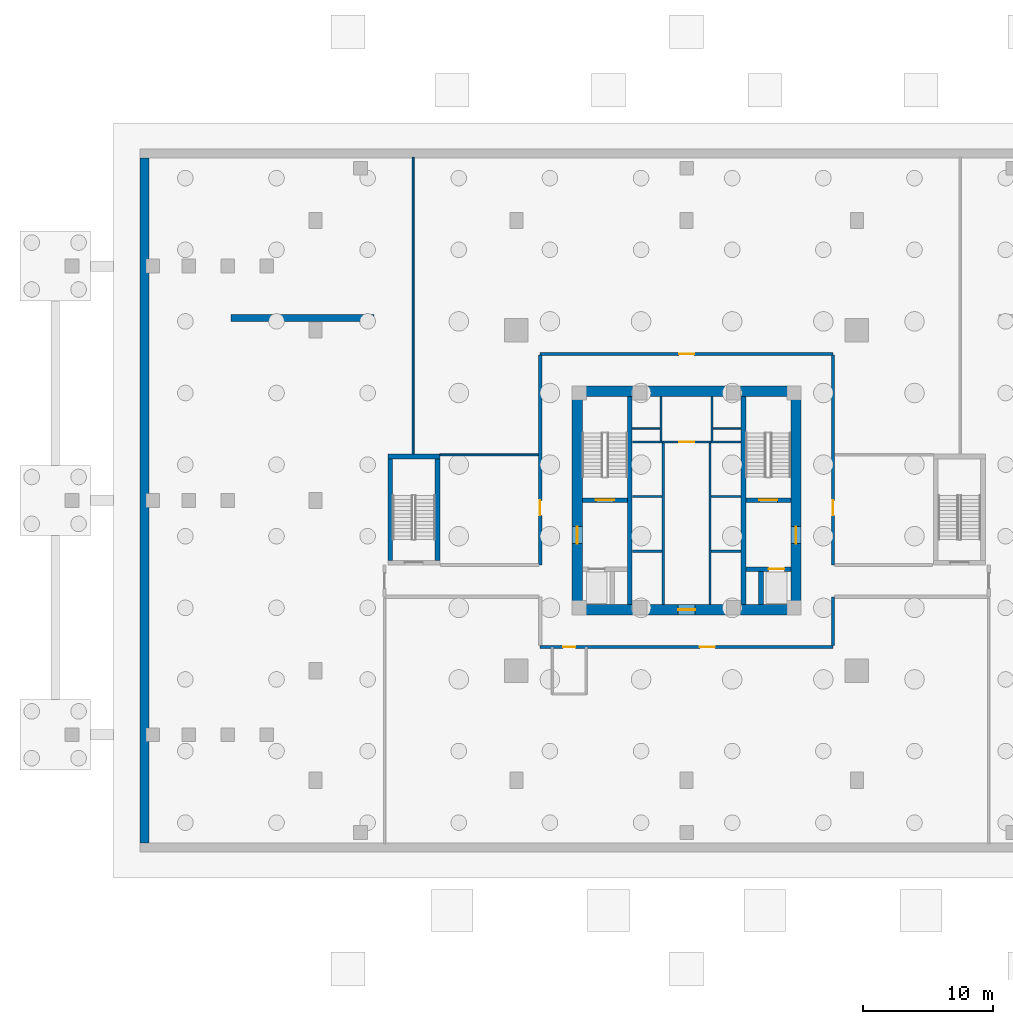
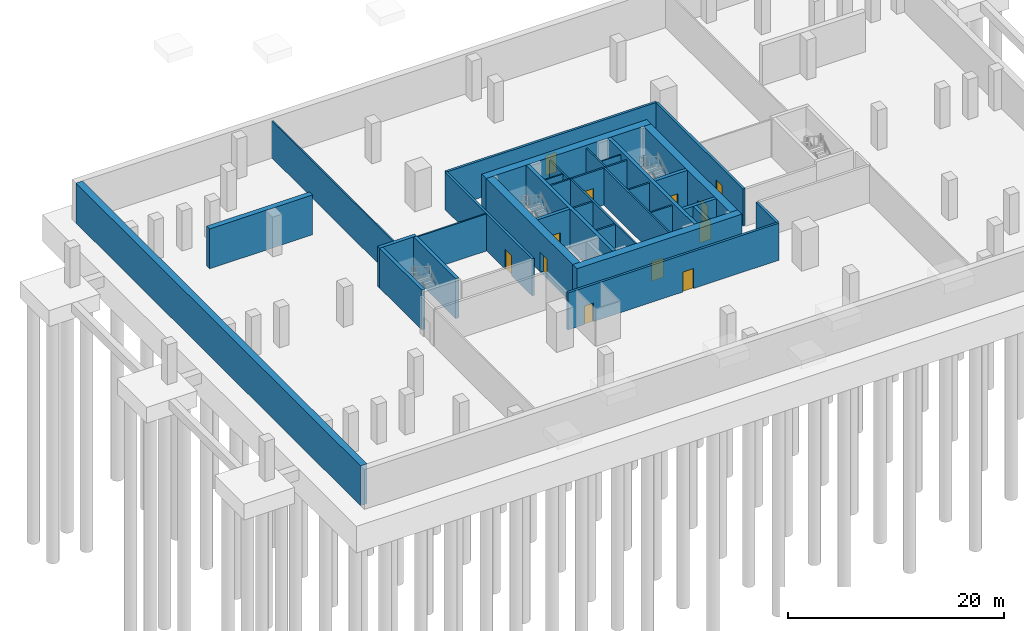
# One storey, part 4 of 8: 35 walls, 12 doors, 12 openings.
"""IFC4 building model written with IfcOpenShell, lengths in metres."""

from ifc_helpers import new_model, si_unit, direction, frame, frame_2d, origin, place, context, subcontext, project, spatial, rectangle, extrude, source, transform, mapped, material, layer, layer_set, type_object, element, fill, save


model = new_model("IFC4")

# Units and contexts
model_context = context("Model", 3, precision=1e-05, world=origin(), true_north=direction((0.0, 1.0)))
body_context = subcontext(model_context, "Body", "Model", "MODEL_VIEW")
ifc_project = project(units=[si_unit("LENGTHUNIT", "METRE"), si_unit("AREAUNIT", "SQUARE_METRE"), si_unit("VOLUMEUNIT", "CUBIC_METRE"), si_unit("PLANEANGLEUNIT", "RADIAN"), si_unit("MASSUNIT", "GRAM", prefix="KILO"), si_unit("THERMODYNAMICTEMPERATUREUNIT", "KELVIN")], contexts=[model_context])

# Site, building, storey
site_placement = place(None, origin())
site = spatial("IfcSite", under=ifc_project, at=site_placement, CompositionType="ELEMENT")
building_placement = place(site_placement, origin())
building = spatial("IfcBuilding", under=site, at=building_placement, Name="Kosmvard Interchange Tower", CompositionType="ELEMENT")
storey_placement = place(building_placement, frame((0.0, 0.0, -9.0)))
storey = spatial("IfcBuildingStorey", under=building, at=storey_placement, Name="B02", CompositionType="ELEMENT", Elevation=-9.0)

# Walls
ifc_material_1 = material(Name="Acoustic gypsum partition system")
ifc_layer_1 = layer(ifc_material_1, 0.14990234375, Name="Acoustic gypsum partition system")
ifc_layer_set_1 = layer_set([ifc_layer_1], Name="Acoustic gypsum partition system")
wall_type_1 = type_object("IfcWallType", Name="Acoustic Suite & Meeting Partition 150", PredefinedType="PARTITIONING", material=ifc_layer_set_1)
wall_1_placement = place(storey_placement, frame((-21.0, 3.56005859375, 0.0), z_axis=(0.0, 0.0, 1.0), x_axis=(0.0, 1.0, 0.0)))
element("IfcWall", 1, at=wall_1_placement, inside=storey, type_object=wall_type_1, Name="B02 Room Partition 02.1", PredefinedType="PARTITIONING", context=body_context, shape_type="SweptSolid", body=[
    extrude(rectangle(XDim=22.804931640625, YDim=0.14990234375, at=frame_2d((11.40234375, 0.0))), origin(), (0.0, 0.0, 1.0), 4.179931640625),
])
wall_2_placement = place(storey_placement, frame((-18.9599609375, 3.5, 0.0), z_axis=(0.0, 0.0, 1.0), x_axis=(1.0, 0.0, 0.0)))
element("IfcWall", 2, at=wall_2_placement, inside=storey, type_object=wall_type_1, Name="B02 Room Partition 05.1", PredefinedType="PARTITIONING", context=body_context, shape_type="SweptSolid", body=[
    extrude(rectangle(XDim=7.580078125, YDim=0.14990234375, at=frame_2d((3.7900390625, 0.0))), origin(), (0.0, 0.0, 1.0), 4.179931640625),
])
ifc_material_2 = material(Name="Concrete C50/60", Category="concrete")
ifc_layer_2 = layer(ifc_material_2, 0.699951171875, Name="Concrete C50/60")
ifc_layer_set_2 = layer_set([ifc_layer_2], Name="Concrete C50/60")
wall_type_2 = type_object("IfcWallType", Name="Basement Perimeter Retaining Wall 700 C50/60", PredefinedType="USERDEFINED", material=ifc_layer_set_2)
wall_3_placement = place(storey_placement, frame((-41.64990234375, -26.300048828125, 0.0), z_axis=(0.0, 0.0, 1.0), x_axis=(0.0, 1.0, 0.0)))
element("IfcWall", 3, at=wall_3_placement, inside=storey, type_object=wall_type_2, Name="B02 Basement Retaining Wall RW-W", ObjectType="RETAINING", PredefinedType="USERDEFINED", context=body_context, shape_type="SweptSolid", body=[
    extrude(rectangle(XDim=52.60009765625, YDim=0.699951171875, at=frame_2d((26.300048828125, 0.0))), origin(), (0.0, 0.0, 1.0), 4.5),
])
ifc_layer_3 = layer(ifc_material_2, 0.550048828125, Name="Concrete C50/60")
ifc_layer_set_3 = layer_set([ifc_layer_3], Name="Concrete C50/60")
wall_type_3 = type_object("IfcWallType", Name="Basement Tank Retaining Wall 550 C50/60", PredefinedType="USERDEFINED", material=ifc_layer_set_3)
wall_4_placement = place(storey_placement, frame((-35.0, 14.0, 0.0), z_axis=(0.0, 0.0, 1.0), x_axis=(1.0, 0.0, 0.0)))
element("IfcWall", 4, at=wall_4_placement, inside=storey, type_object=wall_type_3, Name="B02 Water Tank Retaining Wall 1", ObjectType="RETAINING", PredefinedType="USERDEFINED", context=body_context, shape_type="SweptSolid", body=[
    extrude(rectangle(XDim=11.0, YDim=0.550048828125, at=frame_2d((5.5, 0.0))), origin(), (0.0, 0.0, 1.0), 4.5),
])
ifc_material_3 = material(Name="Fire-rated gypsum partition system")
ifc_layer_4 = layer(ifc_material_3, 0.159912109375, Name="Fire-rated gypsum partition system")
ifc_layer_set_4 = layer_set([ifc_layer_4], Name="Fire-rated gypsum partition system")
wall_type_4 = type_object("IfcWallType", Name="Core Compartment & Shuttle Lobby Partition 160", PredefinedType="PARTITIONING", material=ifc_layer_set_4)
for number, where, z_axis, x_axis, name in (
    (5, (-1.9599609375, 4.580078125, 0.0), (0.0, 0.0, 1.0), (0.0, 1.0, 0.0), "B02 North Core West Wall"),
    (6, (1.9599609375, 4.580078125, 0.0), (0.0, 0.0, 1.0), (0.0, 1.0, 0.0), "B02 North Core East Wall"),
):
    element("IfcWall", number, at=place(storey_placement, frame(where, z_axis=z_axis, x_axis=x_axis)), inside=storey, type_object=wall_type_4, Name=name, PredefinedType="PARTITIONING", context=body_context, shape_type="SweptSolid", body=[
        extrude(rectangle(XDim=3.39990234375, YDim=0.159912109375, at=frame_2d((1.699951171875, 0.0))), origin(), (0.0, 0.0, 1.0), 4.179931640625),
    ])
ifc_layer_5 = layer(ifc_material_3, 0.179931640625, Name="Fire-rated gypsum partition system")
ifc_layer_set_5 = layer_set([ifc_layer_5], Name="Fire-rated gypsum partition system")
wall_type_5 = type_object("IfcWallType", Name="Corridor & Hotel Compartment Partition 180", PredefinedType="PARTITIONING", material=ifc_layer_set_5)
for number, where, z_axis, x_axis, name in (
    (7, (-1.7900390625, -7.97998046875, 0.0), (0.0, 0.0, 1.0), (0.0, 1.0, 0.0), "B02 West Lift Bank Front Wall"),
    (8, (1.7900390625, -7.97998046875, 0.0), (0.0, 0.0, 1.0), (0.0, 1.0, 0.0), "B02 East Lift Bank Front Wall"),
):
    element("IfcWall", number, at=place(storey_placement, frame(where, z_axis=z_axis, x_axis=x_axis)), inside=storey, type_object=wall_type_5, Name=name, PredefinedType="PARTITIONING", context=body_context, shape_type="SweptSolid", body=[
        extrude(rectangle(XDim=12.3798828125, YDim=0.179931640625, at=frame_2d((6.18994140625, 0.0))), origin(), (0.0, 0.0, 1.0), 4.179931640625),
    ])

# Wall, opening, door
wall_5_placement = place(storey_placement, frame((-1.8798828125, 4.489990234375, 0.0), z_axis=(0.0, 0.0, 1.0), x_axis=(1.0, 0.0, 0.0)))
wall_5 = element("IfcWall", 9, at=wall_5_placement, inside=storey, type_object=wall_type_5, Name="B02 Lift Lobby North Partition", PredefinedType="PARTITIONING", context=body_context, shape_type="SweptSolid", body=[
    extrude(rectangle(XDim=3.759765625, YDim=0.179931640625, at=frame_2d((1.8798828125, 0.0))), origin(), (0.0, 0.0, 1.0), 4.179931640625),
])
opening_1_placement = place(wall_5_placement, frame((1.304931640625, 0.0, 0.0)))
opening_1 = element("IfcOpeningElement", 10, at=opening_1_placement, cuts=wall_5, Name="Opening B02-KD1", PredefinedType="OPENING", context=body_context, shape_type="SweptSolid", body=[
    extrude(rectangle(XDim=1.14990234375, YDim=2.25, at=frame_2d((0.574951171875, 1.125))), frame((0.0, 0.10009765625, 0.0), z_axis=(0.0, -1.0, 0.0), x_axis=(1.0, 0.0, 0.0)), (0.0, 0.0, 1.0), 0.199951171875),
])
ifc_material_4 = material(Name="Painted fire-rated steel leaf", Category="steel")
door_type_1 = type_object("IfcDoorType", Name="Plant & Riser Fire Door 1150x2250 EI60", OperationType="NOTDEFINED", PredefinedType="DOOR", material=ifc_material_4)
shared_shape_1 = source(origin(), body_context, "Body", "SweptSolid", [
    extrude(rectangle(XDim=1.14990234375, YDim=2.25, at=frame_2d((0.574951171875, 1.125))), frame((0.0, 0.02490234375, 0.0), z_axis=(0.0, -1.0, 0.0), x_axis=(1.0, 0.0, 0.0)), (0.0, 0.0, 1.0), 0.050048828125),
])
door_1_placement = place(opening_1_placement, origin())
door_1 = element("IfcDoor", 11, at=door_1_placement, inside=storey, type_object=door_type_1, Name="B02 Core IT Room Door", OperationType="SINGLE_SWING_LEFT", OverallHeight=2.25, OverallWidth=1.14990234375, PredefinedType="DOOR", context=body_context, shape_type="MappedRepresentation", body=[
    mapped(shared_shape_1, transform((0.0, 0.0, 0.0), scale=1.0)),
])
fill(opening_1, door_1)

# Wall, openings, doors
ifc_material_5 = material(Name="Concrete blockwork masonry", Category="masonry")
ifc_layer_6 = layer(ifc_material_5, 0.25, Name="Concrete blockwork masonry")
ifc_layer_set_6 = layer_set([ifc_layer_6], Name="Concrete blockwork masonry")
wall_type_6 = type_object("IfcWallType", Name="Exit Passage & Firefighting Lobby Wall 250", PredefinedType="PARTITIONING", material=ifc_layer_set_6)
wall_6_placement = place(storey_placement, frame((-11.25, -11.25, 0.0), z_axis=(0.0, 0.0, 1.0), x_axis=(1.0, 0.0, 0.0)))
wall_6 = element("IfcWall", 12, at=wall_6_placement, inside=storey, type_object=wall_type_6, Name="B02 Corridor Wall CS", PredefinedType="PARTITIONING", context=body_context, shape_type="SweptSolid", body=[
    extrude(rectangle(XDim=22.5, YDim=0.25, at=frame_2d((11.25, 0.0))), origin(), (0.0, 0.0, 1.0), 4.179931640625),
])
opening_2_placement = place(wall_6_placement, frame((1.7548828125, 0.0, 0.0)))
opening_2 = element("IfcOpeningElement", 13, at=opening_2_placement, cuts=wall_6, Name="Opening B02-D01", PredefinedType="OPENING", context=body_context, shape_type="SweptSolid", body=[
    extrude(rectangle(XDim=0.949951171875, YDim=2.10009765625, at=frame_2d((0.47509765625, 1.050048828125))), frame((0.0, 0.135009765625, 0.0), z_axis=(0.0, -1.0, 0.0), x_axis=(1.0, 0.0, 0.0)), (0.0, 0.0, 1.0), 0.27001953125),
])
opening_3_placement = place(wall_6_placement, frame((12.26953125, 0.0, 0.0)))
opening_3 = element("IfcOpeningElement", 14, at=opening_3_placement, cuts=wall_6, Name="Opening B02-D02", PredefinedType="OPENING", context=body_context, shape_type="SweptSolid", body=[
    extrude(rectangle(XDim=1.14990234375, YDim=2.25, at=frame_2d((0.574951171875, 1.125))), frame((0.0, 0.135009765625, 0.0), z_axis=(0.0, -1.0, 0.0), x_axis=(1.0, 0.0, 0.0)), (0.0, 0.0, 1.0), 0.27001953125),
])
door_2_placement = place(opening_3_placement, frame((1.14990234375, 0.0, 0.0), z_axis=(0.0, 0.0, 1.0), x_axis=(-1.0, 0.0, 0.0)))
door_2 = element("IfcDoor", 15, at=door_2_placement, inside=storey, type_object=door_type_1, Name="B02 Metro Platform Concourse Door", OperationType="SINGLE_SWING_RIGHT", OverallHeight=2.25, OverallWidth=1.14990234375, PredefinedType="DOOR", context=body_context, shape_type="MappedRepresentation", body=[
    mapped(shared_shape_1, transform((0.0, 0.0, 0.0), scale=1.0)),
])
fill(opening_3, door_2)
ifc_material_6 = material(Name="Laminated moisture-resistant timber", Category="wood")
door_type_2 = type_object("IfcDoorType", Name="Accessible Washroom Door 950x2100", OperationType="NOTDEFINED", PredefinedType="DOOR", material=ifc_material_6)
shared_shape_2 = source(origin(), body_context, "Body", "SweptSolid", [
    extrude(rectangle(XDim=0.949951171875, YDim=2.10009765625, at=frame_2d((0.47509765625, 1.050048828125))), frame((0.0, 0.02490234375, 0.0), z_axis=(0.0, -1.0, 0.0), x_axis=(1.0, 0.0, 0.0)), (0.0, 0.0, 1.0), 0.050048828125),
])
door_3_placement = place(opening_2_placement, frame((0.949951171875, 0.0, 0.0), z_axis=(0.0, 0.0, 1.0), x_axis=(-1.0, 0.0, 0.0)))
door_3 = element("IfcDoor", 16, at=door_3_placement, inside=storey, type_object=door_type_2, Name="B02 Staff Plant Washroom Door", OperationType="SINGLE_SWING_LEFT", OverallHeight=2.10009765625, OverallWidth=0.949951171875, PredefinedType="DOOR", context=body_context, shape_type="MappedRepresentation", body=[
    mapped(shared_shape_2, transform((0.0, 0.0, 0.0), scale=1.0)),
])
fill(opening_2, door_3)

# Wall, opening, door
wall_7_placement = place(storey_placement, frame((-11.25, 11.25, 0.0), z_axis=(0.0, 0.0, 1.0), x_axis=(1.0, 0.0, 0.0)))
wall_7 = element("IfcWall", 17, at=wall_7_placement, inside=storey, type_object=wall_type_6, Name="B02 Corridor Wall CN", PredefinedType="PARTITIONING", context=body_context, shape_type="SweptSolid", body=[
    extrude(rectangle(XDim=22.5, YDim=0.25, at=frame_2d((11.25, 0.0))), origin(), (0.0, 0.0, 1.0), 4.179931640625),
])
opening_4_placement = place(wall_7_placement, frame((10.675048828125, 0.0, 0.0)))
opening_4 = element("IfcOpeningElement", 18, at=opening_4_placement, cuts=wall_7, Name="Opening B02-D03", PredefinedType="OPENING", context=body_context, shape_type="SweptSolid", body=[
    extrude(rectangle(XDim=1.14990234375, YDim=2.25, at=frame_2d((0.574951171875, 1.125))), frame((0.0, 0.135009765625, 0.0), z_axis=(0.0, -1.0, 0.0), x_axis=(1.0, 0.0, 0.0)), (0.0, 0.0, 1.0), 0.27001953125),
])
door_4_placement = place(opening_4_placement, origin())
door_4 = element("IfcDoor", 19, at=door_4_placement, inside=storey, type_object=door_type_1, Name="B02 High-Voltage Substation Plant Room Door", OperationType="SINGLE_SWING_LEFT", OverallHeight=2.25, OverallWidth=1.14990234375, PredefinedType="DOOR", context=body_context, shape_type="MappedRepresentation", body=[
    mapped(shared_shape_1, transform((0.0, 0.0, 0.0), scale=1.0)),
])
fill(opening_4, door_4)

wall_8_placement = place(storey_placement, frame((-11.25, -4.9599609375, 0.0), z_axis=(0.0, 0.0, 1.0), x_axis=(0.0, 1.0, 0.0)))
wall_8 = element("IfcWall", 20, at=wall_8_placement, inside=storey, type_object=wall_type_6, Name="B02 Corridor Wall CWN", PredefinedType="PARTITIONING", context=body_context, shape_type="SweptSolid", body=[
    extrude(rectangle(XDim=16.10986328125, YDim=0.25, at=frame_2d((8.054931640625, 0.0))), origin(), (0.0, 0.0, 1.0), 4.179931640625),
])
opening_5_placement = place(wall_8_placement, frame((3.819580078125, 0.0, 0.0)))
opening_5 = element("IfcOpeningElement", 21, at=opening_5_placement, cuts=wall_8, Name="Opening B02-D06", PredefinedType="OPENING", context=body_context, shape_type="SweptSolid", body=[
    extrude(rectangle(XDim=1.14990234375, YDim=2.25, at=frame_2d((0.574951171875, 1.125))), frame((0.0, 0.135009765625, 0.0), z_axis=(0.0, -1.0, 0.0), x_axis=(1.0, 0.0, 0.0)), (0.0, 0.0, 1.0), 0.27001953125),
])
door_5_placement = place(opening_5_placement, origin())
door_5 = element("IfcDoor", 22, at=door_5_placement, inside=storey, type_object=door_type_1, Name="B02 Domestic Water Reserve Tank Room Door", OperationType="SINGLE_SWING_RIGHT", OverallHeight=2.25, OverallWidth=1.14990234375, PredefinedType="DOOR", context=body_context, shape_type="MappedRepresentation", body=[
    mapped(shared_shape_1, transform((0.0, 0.0, 0.0), scale=1.0)),
])
fill(opening_5, door_5)

# Wall
wall_9_placement = place(storey_placement, frame((11.25, -11.14990234375, 0.0), z_axis=(0.0, 0.0, 1.0), x_axis=(0.0, 1.0, 0.0)))
element("IfcWall", 23, at=wall_9_placement, inside=storey, type_object=wall_type_6, Name="B02 Corridor Wall CES", PredefinedType="PARTITIONING", context=body_context, shape_type="SweptSolid", body=[
    extrude(rectangle(XDim=3.75, YDim=0.25, at=frame_2d((1.875, 0.0))), origin(), (0.0, 0.0, 1.0), 4.179931640625),
])

# Wall, opening, door
wall_10_placement = place(storey_placement, frame((11.25, -4.9599609375, 0.0), z_axis=(0.0, 0.0, 1.0), x_axis=(0.0, 1.0, 0.0)))
wall_10 = element("IfcWall", 24, at=wall_10_placement, inside=storey, type_object=wall_type_6, Name="B02 Corridor Wall CEN", PredefinedType="PARTITIONING", context=body_context, shape_type="SweptSolid", body=[
    extrude(rectangle(XDim=16.10986328125, YDim=0.25, at=frame_2d((8.054931640625, 0.0))), origin(), (0.0, 0.0, 1.0), 4.179931640625),
])
opening_6_placement = place(wall_10_placement, frame((3.819580078125, 0.0, 0.0)))
opening_6 = element("IfcOpeningElement", 25, at=opening_6_placement, cuts=wall_10, Name="Opening B02-D07", PredefinedType="OPENING", context=body_context, shape_type="SweptSolid", body=[
    extrude(rectangle(XDim=1.14990234375, YDim=2.25, at=frame_2d((0.574951171875, 1.125))), frame((0.0, 0.135009765625, 0.0), z_axis=(0.0, -1.0, 0.0), x_axis=(1.0, 0.0, 0.0)), (0.0, 0.0, 1.0), 0.27001953125),
])
door_6_placement = place(opening_6_placement, frame((1.14990234375, 0.0, 0.0), z_axis=(0.0, 0.0, 1.0), x_axis=(-1.0, 0.0, 0.0)))
door_6 = element("IfcDoor", 26, at=door_6_placement, inside=storey, type_object=door_type_1, Name="B02 Transit Maintenance Store Door", OperationType="SINGLE_SWING_LEFT", OverallHeight=2.25, OverallWidth=1.14990234375, PredefinedType="DOOR", context=body_context, shape_type="MappedRepresentation", body=[
    mapped(shared_shape_1, transform((0.0, 0.0, 0.0), scale=1.0)),
])
fill(opening_6, door_6)

ifc_material_7 = material(Name="Concrete C80/95", Category="concrete")
ifc_layer_7 = layer(ifc_material_7, 0.800048828125, Name="Concrete C80/95")
ifc_layer_set_7 = layer_set([ifc_layer_7], Name="Concrete C80/95")
wall_type_7 = type_object("IfcWallType", Name="Lower Core Shear Wall 800 C80/95", PredefinedType="SHEAR", material=ifc_layer_set_7)
wall_11_placement = place(storey_placement, frame((-8.800048828125, -8.39990234375, 0.0), z_axis=(0.0, 0.0, 1.0), x_axis=(1.0, 0.0, 0.0)))
wall_11 = element("IfcWall", 27, at=wall_11_placement, inside=storey, type_object=wall_type_7, Name="B02 Core Shear Wall CW-S", PredefinedType="SHEAR", context=body_context, shape_type="SweptSolid", body=[
    extrude(rectangle(XDim=17.60009765625, YDim=0.800048828125, at=frame_2d((8.800048828125, 0.0))), origin(), (0.0, 0.0, 1.0), 4.5),
])
opening_7_placement = place(wall_11_placement, frame((8.14990234375, 0.0, 0.0)))
opening_7 = element("IfcOpeningElement", 28, at=opening_7_placement, cuts=wall_11, Name="Opening B02-LD0", PredefinedType="OPENING", context=body_context, shape_type="SweptSolid", body=[
    extrude(rectangle(XDim=1.300048828125, YDim=2.199951171875, at=frame_2d((0.64990234375, 1.10009765625))), frame((0.0, 0.41015625, 0.0), z_axis=(0.0, -1.0, 0.0), x_axis=(1.0, 0.0, 0.0)), (0.0, 0.0, 1.0), 0.820068359375),
])
door_type_3 = type_object("IfcDoorType", Name="Firefighting Lobby Door 1300x2200 EI60", OperationType="NOTDEFINED", PredefinedType="DOOR", material=ifc_material_4)
shared_shape_3 = source(origin(), body_context, "Body", "SweptSolid", [
    extrude(rectangle(XDim=1.300048828125, YDim=2.199951171875, at=frame_2d((0.64990234375, 1.10009765625))), frame((0.0, 0.02490234375, 0.0), z_axis=(0.0, -1.0, 0.0), x_axis=(1.0, 0.0, 0.0)), (0.0, 0.0, 1.0), 0.050048828125),
])
door_7_placement = place(opening_7_placement, frame((1.300048828125, 0.0, 0.0), z_axis=(0.0, 0.0, 1.0), x_axis=(-1.0, 0.0, 0.0)))
door_7 = element("IfcDoor", 29, at=door_7_placement, inside=storey, type_object=door_type_3, Name="B02 Passenger Lift Lobby South Door", OperationType="SINGLE_SWING_RIGHT", OverallHeight=2.199951171875, OverallWidth=1.300048828125, PredefinedType="DOOR", context=body_context, shape_type="MappedRepresentation", body=[
    mapped(shared_shape_3, transform((0.0, 0.0, 0.0), scale=1.0)),
])
fill(opening_7, door_7)

# Wall
wall_12_placement = place(storey_placement, frame((-8.800048828125, 8.39990234375, 0.0), z_axis=(0.0, 0.0, 1.0), x_axis=(1.0, 0.0, 0.0)))
element("IfcWall", 30, at=wall_12_placement, inside=storey, type_object=wall_type_7, Name="B02 Core Shear Wall CW-N", PredefinedType="SHEAR", context=body_context, shape_type="SweptSolid", body=[
    extrude(rectangle(XDim=17.60009765625, YDim=0.800048828125, at=frame_2d((8.800048828125, 0.0))), origin(), (0.0, 0.0, 1.0), 4.5),
])

# Wall, opening, door
wall_13_placement = place(storey_placement, frame((-8.39990234375, -8.0, 0.0), z_axis=(0.0, 0.0, 1.0), x_axis=(0.0, 1.0, 0.0)))
wall_13 = element("IfcWall", 31, at=wall_13_placement, inside=storey, type_object=wall_type_7, Name="B02 Core Shear Wall CW-W", PredefinedType="SHEAR", context=body_context, shape_type="SweptSolid", body=[
    extrude(rectangle(XDim=16.0, YDim=0.800048828125, at=frame_2d((8.0, 0.0))), origin(), (0.0, 0.0, 1.0), 4.5),
])
opening_8_placement = place(wall_13_placement, frame((4.68994140625, 0.0, 0.0)))
opening_8 = element("IfcOpeningElement", 32, at=opening_8_placement, cuts=wall_13, Name="Opening B02-FD1", PredefinedType="OPENING", context=body_context, shape_type="SweptSolid", body=[
    extrude(rectangle(XDim=1.300048828125, YDim=2.199951171875, at=frame_2d((0.64990234375, 1.10009765625))), frame((0.0, 0.41015625, 0.0), z_axis=(0.0, -1.0, 0.0), x_axis=(1.0, 0.0, 0.0)), (0.0, 0.0, 1.0), 0.820068359375),
])
door_8_placement = place(opening_8_placement, frame((1.300048828125, 0.0, 0.0), z_axis=(0.0, 0.0, 1.0), x_axis=(-1.0, 0.0, 0.0)))
door_8 = element("IfcDoor", 33, at=door_8_placement, inside=storey, type_object=door_type_3, Name="B02 Firefighting Lobby West Door", OperationType="SINGLE_SWING_LEFT", OverallHeight=2.199951171875, OverallWidth=1.300048828125, PredefinedType="DOOR", context=body_context, shape_type="MappedRepresentation", body=[
    mapped(shared_shape_3, transform((0.0, 0.0, 0.0), scale=1.0)),
])
fill(opening_8, door_8)

wall_14_placement = place(storey_placement, frame((8.39990234375, -8.0, 0.0), z_axis=(0.0, 0.0, 1.0), x_axis=(0.0, 1.0, 0.0)))
wall_14 = element("IfcWall", 34, at=wall_14_placement, inside=storey, type_object=wall_type_7, Name="B02 Core Shear Wall CW-E", PredefinedType="SHEAR", context=body_context, shape_type="SweptSolid", body=[
    extrude(rectangle(XDim=16.0, YDim=0.800048828125, at=frame_2d((8.0, 0.0))), origin(), (0.0, 0.0, 1.0), 4.5),
])
opening_9_placement = place(wall_14_placement, frame((4.68994140625, 0.0, 0.0)))
opening_9 = element("IfcOpeningElement", 35, at=opening_9_placement, cuts=wall_14, Name="Opening B02-FD2", PredefinedType="OPENING", context=body_context, shape_type="SweptSolid", body=[
    extrude(rectangle(XDim=1.300048828125, YDim=2.199951171875, at=frame_2d((0.64990234375, 1.10009765625))), frame((0.0, 0.41015625, 0.0), z_axis=(0.0, -1.0, 0.0), x_axis=(1.0, 0.0, 0.0)), (0.0, 0.0, 1.0), 0.820068359375),
])
door_9_placement = place(opening_9_placement, origin())
door_9 = element("IfcDoor", 36, at=door_9_placement, inside=storey, type_object=door_type_3, Name="B02 Firefighting Lobby East Door", OperationType="SINGLE_SWING_RIGHT", OverallHeight=2.199951171875, OverallWidth=1.300048828125, PredefinedType="DOOR", context=body_context, shape_type="MappedRepresentation", body=[
    mapped(shared_shape_3, transform((0.0, 0.0, 0.0), scale=1.0)),
])
fill(opening_9, door_9)

# Walls
ifc_layer_8 = layer(ifc_material_5, 0.179931640625, Name="Concrete blockwork masonry")
ifc_layer_set_8 = layer_set([ifc_layer_8], Name="Concrete blockwork masonry")
wall_type_8 = type_object("IfcWallType", Name="Riser & Lift Bank Divider Wall 180", PredefinedType="PARTITIONING", material=ifc_layer_set_8)
for number, where, z_axis, x_axis, name in (
    (37, (-4.169921875, -3.89990234375, 0.0), (0.0, 0.0, 1.0), (1.0, 0.0, 0.0), "B02 West Bank Divider BD1"),
    (38, (1.889892578125, -3.89990234375, 0.0), (0.0, 0.0, 1.0), (1.0, 0.0, 0.0), "B02 East Bank Divider BD1"),
    (39, (-4.169921875, 0.300048828125, 0.0), (0.0, 0.0, 1.0), (1.0, 0.0, 0.0), "B02 West Bank Divider BD2"),
    (40, (1.889892578125, 0.300048828125, 0.0), (0.0, 0.0, 1.0), (1.0, 0.0, 0.0), "B02 East Bank Divider BD2"),
    (41, (-4.169921875, 4.489990234375, 0.0), (0.0, 0.0, 1.0), (1.0, 0.0, 0.0), "B02 West Bank Divider BD3"),
    (42, (1.889892578125, 4.489990234375, 0.0), (0.0, 0.0, 1.0), (1.0, 0.0, 0.0), "B02 East Bank Divider BD3"),
):
    element("IfcWall", number, at=place(storey_placement, frame(where, z_axis=z_axis, x_axis=x_axis)), inside=storey, type_object=wall_type_8, Name=name, PredefinedType="PARTITIONING", context=body_context, shape_type="SweptSolid", body=[
        extrude(rectangle(XDim=2.280029296875, YDim=0.179931640625, at=frame_2d((1.14013671875, 0.0))), origin(), (0.0, 0.0, 1.0), 4.179931640625),
    ])
ifc_material_8 = material(Name="Fire-rated gypsum shaftwall system")
ifc_layer_9 = layer(ifc_material_8, 0.1201171875, Name="Fire-rated gypsum shaftwall system")
ifc_layer_set_9 = layer_set([ifc_layer_9], Name="Fire-rated gypsum shaftwall system")
wall_type_9 = type_object("IfcWallType", Name="Shaft & Riser Fire Partition 120 EI60", PredefinedType="PARTITIONING", material=ifc_layer_set_9)
for number, where, z_axis, x_axis, name in (
    (43, (-4.159912109375, 5.52001953125, 0.0), (0.0, 0.0, 1.0), (1.0, 0.0, 0.0), "B02 Riser Shaft Divider W"),
    (44, (2.06005859375, 5.52001953125, 0.0), (0.0, 0.0, 1.0), (1.0, 0.0, 0.0), "B02 Riser Shaft Divider E"),
):
    element("IfcWall", number, at=place(storey_placement, frame(where, z_axis=z_axis, x_axis=x_axis)), inside=storey, type_object=wall_type_9, Name=name, PredefinedType="PARTITIONING", context=body_context, shape_type="SweptSolid", body=[
        extrude(rectangle(XDim=2.099853515625, YDim=0.1201171875, at=frame_2d((1.0498046875, 0.0))), origin(), (0.0, 0.0, 1.0), 4.179931640625),
    ])
ifc_material_9 = material(Name="Concrete C60/75", Category="concrete")
ifc_layer_10 = layer(ifc_material_9, 0.360107421875, Name="Concrete C60/75")
ifc_layer_set_10 = layer_set([ifc_layer_10], Name="Concrete C60/75")
wall_type_10 = type_object("IfcWallType", Name="Stair & Lift Shaft Shear Wall 360 C60/75", PredefinedType="SHEAR", material=ifc_layer_set_10)
for number, where, z_axis, x_axis, name in (
    (45, (-4.360107421875, -8.0, 0.0), (0.0, 0.0, 1.0), (0.0, 1.0, 0.0), "B02 Shaft Shear Wall SW-W"),
    (46, (4.360107421875, -8.0, 0.0), (0.0, 0.0, 1.0), (0.0, 1.0, 0.0), "B02 Shaft Shear Wall SW-E"),
):
    element("IfcWall", number, at=place(storey_placement, frame(where, z_axis=z_axis, x_axis=x_axis)), inside=storey, type_object=wall_type_10, Name=name, PredefinedType="SHEAR", context=body_context, shape_type="SweptSolid", body=[
        extrude(rectangle(XDim=16.0, YDim=0.360107421875, at=frame_2d((8.0, 0.0))), origin(), (0.0, 0.0, 1.0), 4.5),
    ])

# Wall, opening, door
wall_15_placement = place(storey_placement, frame((-8.0, 0.02001953125, 0.0), z_axis=(0.0, 0.0, 1.0), x_axis=(1.0, 0.0, 0.0)))
wall_15 = element("IfcWall", 47, at=wall_15_placement, inside=storey, type_object=wall_type_10, Name="B02 Shaft Shear Wall SW-ST1", PredefinedType="SHEAR", context=body_context, shape_type="SweptSolid", body=[
    extrude(rectangle(XDim=3.4599609375, YDim=0.360107421875, at=frame_2d((1.72998046875, 0.0))), origin(), (0.0, 0.0, 1.0), 4.5),
])
opening_10_placement = place(wall_15_placement, frame((1.030029296875, 0.0, 0.0)))
opening_10 = element("IfcOpeningElement", 48, at=opening_10_placement, cuts=wall_15, Name="Opening B02-SD1", PredefinedType="OPENING", context=body_context, shape_type="SweptSolid", body=[
    extrude(rectangle(XDim=1.39990234375, YDim=2.199951171875, at=frame_2d((0.699951171875, 1.10009765625))), frame((0.0, 0.18994140625, 0.0), z_axis=(0.0, -1.0, 0.0), x_axis=(1.0, 0.0, 0.0)), (0.0, 0.0, 1.0), 0.380126953125),
])
door_type_4 = type_object("IfcDoorType", Name="Protected Stair Door 1400x2200 FD60S", OperationType="NOTDEFINED", PredefinedType="DOOR", material=ifc_material_4)
shared_shape_4 = source(origin(), body_context, "Body", "SweptSolid", [
    extrude(rectangle(XDim=1.39990234375, YDim=2.199951171875, at=frame_2d((0.699951171875, 1.10009765625))), frame((0.0, 0.02490234375, 0.0), z_axis=(0.0, -1.0, 0.0), x_axis=(1.0, 0.0, 0.0)), (0.0, 0.0, 1.0), 0.050048828125),
])
door_10_placement = place(opening_10_placement, origin())
door_10 = element("IfcDoor", 49, at=door_10_placement, inside=storey, type_object=door_type_4, Name="B02 Stair ST-1 Enclosure Door", OperationType="SINGLE_SWING_LEFT", OverallHeight=2.199951171875, OverallWidth=1.39990234375, PredefinedType="DOOR", context=body_context, shape_type="MappedRepresentation", body=[
    mapped(shared_shape_4, transform((0.0, 0.0, 0.0), scale=1.0)),
])
fill(opening_10, door_10)

wall_16_placement = place(storey_placement, frame((4.5400390625, 0.02001953125, 0.0), z_axis=(0.0, 0.0, 1.0), x_axis=(1.0, 0.0, 0.0)))
wall_16 = element("IfcWall", 50, at=wall_16_placement, inside=storey, type_object=wall_type_10, Name="B02 Shaft Shear Wall SW-ST2", PredefinedType="SHEAR", context=body_context, shape_type="SweptSolid", body=[
    extrude(rectangle(XDim=3.4599609375, YDim=0.360107421875, at=frame_2d((1.72998046875, 0.0))), origin(), (0.0, 0.0, 1.0), 4.5),
])
opening_11_placement = place(wall_16_placement, frame((1.030029296875, 0.0, 0.0)))
opening_11 = element("IfcOpeningElement", 51, at=opening_11_placement, cuts=wall_16, Name="Opening B02-SD2", PredefinedType="OPENING", context=body_context, shape_type="SweptSolid", body=[
    extrude(rectangle(XDim=1.39990234375, YDim=2.199951171875, at=frame_2d((0.699951171875, 1.10009765625))), frame((0.0, 0.18994140625, 0.0), z_axis=(0.0, -1.0, 0.0), x_axis=(1.0, 0.0, 0.0)), (0.0, 0.0, 1.0), 0.380126953125),
])
door_11_placement = place(opening_11_placement, origin())
door_11 = element("IfcDoor", 52, at=door_11_placement, inside=storey, type_object=door_type_4, Name="B02 Stair ST-2 Enclosure Door", OperationType="SINGLE_SWING_RIGHT", OverallHeight=2.199951171875, OverallWidth=1.39990234375, PredefinedType="DOOR", context=body_context, shape_type="MappedRepresentation", body=[
    mapped(shared_shape_4, transform((0.0, 0.0, 0.0), scale=1.0)),
])
fill(opening_11, door_11)

wall_17_placement = place(storey_placement, frame((4.5400390625, -5.280029296875, 0.0), z_axis=(0.0, 0.0, 1.0), x_axis=(1.0, 0.0, 0.0)))
wall_17 = element("IfcWall", 53, at=wall_17_placement, inside=storey, type_object=wall_type_10, Name="B02 Shaft Shear Wall SW-FF2", PredefinedType="SHEAR", context=body_context, shape_type="SweptSolid", body=[
    extrude(rectangle(XDim=3.4599609375, YDim=0.360107421875, at=frame_2d((1.72998046875, 0.0))), origin(), (0.0, 0.0, 1.0), 4.5),
])
opening_12_placement = place(wall_17_placement, frame((1.760009765625, 0.0, 0.0)))
opening_12 = element("IfcOpeningElement", 54, at=opening_12_placement, cuts=wall_17, Name="Opening LD-FF-2-B02", PredefinedType="OPENING", context=body_context, shape_type="SweptSolid", body=[
    extrude(rectangle(XDim=1.199951171875, YDim=2.25, at=frame_2d((0.60009765625, 1.125))), frame((0.0, 0.18994140625, 0.0), z_axis=(0.0, -1.0, 0.0), x_axis=(1.0, 0.0, 0.0)), (0.0, 0.0, 1.0), 0.380126953125),
])
ifc_material_10 = material(Name="Brushed stainless steel sliding leaf", Category="steel")
door_type_5 = type_object("IfcDoorType", Name="Firefighting Lift Sliding Landing Door 1200x2250 EI120", OperationType="DOUBLE_DOOR_SLIDING", PredefinedType="DOOR", material=ifc_material_10)
shared_shape_5 = source(origin(), body_context, "Body", "SweptSolid", [
    extrude(rectangle(XDim=1.199951171875, YDim=2.25, at=frame_2d((0.60009765625, 1.125))), frame((0.0, 0.02490234375, 0.0), z_axis=(0.0, -1.0, 0.0), x_axis=(1.0, 0.0, 0.0)), (0.0, 0.0, 1.0), 0.050048828125),
])
door_12_placement = place(opening_12_placement, origin())
door_12 = element("IfcDoor", 55, at=door_12_placement, inside=storey, type_object=door_type_5, Name="Lift FF-2 Landing Door B02", OperationType="DOUBLE_DOOR_SLIDING", OverallHeight=2.25, OverallWidth=1.199951171875, PredefinedType="DOOR", context=body_context, shape_type="MappedRepresentation", body=[
    mapped(shared_shape_5, transform((0.0, 0.0, 0.0), scale=1.0)),
])
fill(opening_12, door_12)

# Walls
wall_18_placement = place(storey_placement, frame((5.7099609375, -8.0, 0.0), z_axis=(0.0, 0.0, 1.0), x_axis=(0.0, 1.0, 0.0)))
element("IfcWall", 56, at=wall_18_placement, inside=storey, type_object=wall_type_10, Name="B02 Shaft Shear Wall SW-SM2", PredefinedType="SHEAR", context=body_context, shape_type="SweptSolid", body=[
    extrude(rectangle(XDim=2.5400390625, YDim=0.360107421875, at=frame_2d((1.27001953125, 0.0))), origin(), (0.0, 0.0, 1.0), 4.5),
])
wall_19_placement = place(storey_placement, frame((-22.93994140625, 3.3798828125, 0.0), z_axis=(0.0, 0.0, 1.0), x_axis=(1.0, 0.0, 0.0)))
element("IfcWall", 57, at=wall_19_placement, inside=storey, type_object=wall_type_10, Name="B02 Podium Stair Shear Wall ST3N", PredefinedType="SHEAR", context=body_context, shape_type="SweptSolid", body=[
    extrude(rectangle(XDim=3.97998046875, YDim=0.360107421875, at=frame_2d((1.989990234375, 0.0))), origin(), (0.0, 0.0, 1.0), 4.5),
])
for number, where, z_axis, x_axis, name in (
    (58, (-22.760009765625, -4.60009765625, 0.0), (0.0, 0.0, 1.0), (0.0, 1.0, 0.0), "B02 Podium Stair Shear Wall ST3W"),
    (59, (-19.139892578125, -4.60009765625, 0.0), (0.0, 0.0, 1.0), (0.0, 1.0, 0.0), "B02 Podium Stair Shear Wall ST3E"),
):
    element("IfcWall", number, at=place(storey_placement, frame(where, z_axis=z_axis, x_axis=x_axis)), inside=storey, type_object=wall_type_10, Name=name, PredefinedType="SHEAR", context=body_context, shape_type="SweptSolid", body=[
        extrude(rectangle(XDim=7.800048828125, YDim=0.360107421875, at=frame_2d((3.89990234375, 0.0))), origin(), (0.0, 0.0, 1.0), 4.5),
    ])

save(model, "model.ifc")
